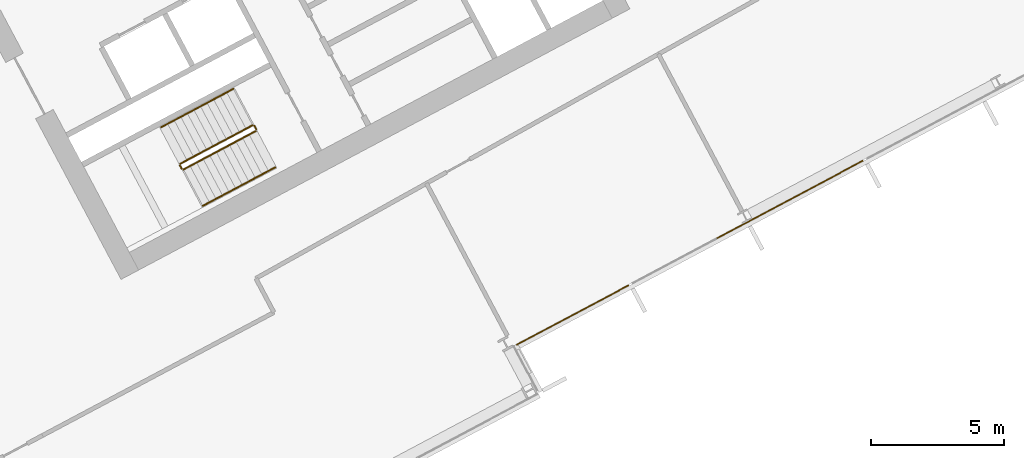
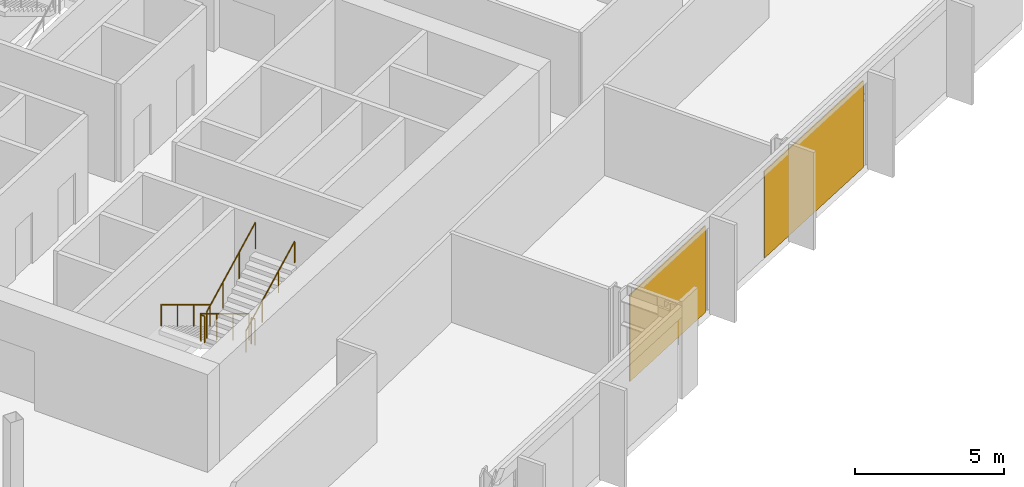
# One storey, part 25 of 28: 6 railings, 2 coverings, 1 element without a shape of its own.
"""IFC4 building model written with IfcOpenShell, lengths in metres."""

from ifc_helpers import new_model, si_unit, direction, frame, origin, origin_2d, place, context, subcontext, project, spatial, polyline, rectangle, outline, extrude, material, layer, layer_set, type_object, element, aggregate, save


model = new_model("IFC4")

# Units and contexts
model_context = context("Model", 3, precision=1e-05, world=origin(), true_north=direction((0.0, 1.0)))
body_context = subcontext(model_context, "Body", "Model", "MODEL_VIEW")
ifc_project = project(units=[si_unit("LENGTHUNIT", "METRE"), si_unit("AREAUNIT", "SQUARE_METRE"), si_unit("VOLUMEUNIT", "CUBIC_METRE"), si_unit("PLANEANGLEUNIT", "RADIAN"), si_unit("MASSUNIT", "GRAM", prefix="KILO")], contexts=[model_context])

# Site, building, storey
site_placement = place(None, origin())
site = spatial("IfcSite", under=ifc_project, at=site_placement, CompositionType="ELEMENT")
building_placement = place(site_placement, origin())
building = spatial("IfcBuilding", under=site, at=building_placement, Name="Cormorant Relay Tower", CompositionType="ELEMENT")
storey_placement = place(building_placement, frame((0.0, 0.0, 126.199951171875)))
storey = spatial("IfcBuildingStorey", under=building, at=storey_placement, Name="L25", CompositionType="ELEMENT", Elevation=126.199951171875)

# Curtain wall, coverings
ifc_material_1 = material(Name="Aluminium 6063-T6 anodised bronze", Category="aluminium")
ifc_layer_1 = layer(ifc_material_1, 0.199951171875)
ifc_layer_set_1 = layer_set([ifc_layer_1], Name="CW1 unitised bronze curtain wall with vertical fins")
curtain_wall_type = type_object("IfcCurtainWallType", Name="CW1 unitised bronze curtain wall with vertical fins", PredefinedType="NOTDEFINED", material=ifc_layer_set_1)
curtain_wall_placement = place(storey_placement, origin())
curtain_wall = element("IfcCurtainWall", 1, at=curtain_wall_placement, inside=storey, type_object=curtain_wall_type, Name="CW1 curtain wall 4", PredefinedType="NOTDEFINED")
ifc_material_2 = material(Name="Pale bronze anodised aluminium insulated panel", Category="aluminium")
ifc_layer_2 = layer(ifc_material_2, 0.0400390625)
ifc_layer_set_2 = layer_set([ifc_layer_2], Name="CW1 pale bronze insulated panel 40")
covering_type = type_object("IfcCoveringType", Name="CW1 pale bronze insulated panel 40", PredefinedType="CLADDING", material=ifc_layer_set_2)
covering_1_placement = place(storey_placement, frame((35.892333984375, -2.457275390625, 0.0), z_axis=(0.0, 0.0, 1.0), x_axis=(0.882947592859, 0.469471562786, 0.0)))
covering_1 = element("IfcCovering", 2, at=covering_1_placement, type_object=covering_type, Name="CW1 panel S00", PredefinedType="CLADDING", context=body_context, shape_type="SweptSolid", body=[
    extrude(rectangle(XDim=4.77490234375, YDim=0.0400390625, at=origin_2d()), origin(), (0.0, 0.0, 1.0), 3.550048828125),
])
covering_2_placement = place(storey_placement, frame((44.07080078125, 1.891357421875, 0.0), z_axis=(0.0, 0.0, 1.0), x_axis=(0.882947592859, 0.469471562786, 0.0)))
covering_2 = element("IfcCovering", 3, at=covering_2_placement, type_object=covering_type, Name="CW1 panel S02", PredefinedType="CLADDING", context=body_context, shape_type="SweptSolid", body=[
    extrude(rectangle(XDim=6.25, YDim=0.0400390625, at=origin_2d()), origin(), (0.0, 0.0, 1.0), 3.550048828125),
])
aggregate(curtain_wall, [covering_1, covering_2])

# Railings
ifc_material_3 = material(Name="Steel ASTM A572 Grade 50 (Fy 345 MPa)", Category="steel")
railing_type_1 = type_object("IfcRailingType", Name="Stair guard 1100", PredefinedType="GUARDRAIL", material=ifc_material_3)
railing_1_placement = place(storey_placement, frame((23.83837890625, 4.6904296875, 0.166748046875)))
element("IfcRailing", 4, at=railing_1_placement, inside=storey, type_object=railing_type_1, Name="L25 B1 stair guard 1", PredefinedType="GUARDRAIL", context=body_context, shape_type="SweptSolid", body=[
    extrude(outline(polyline([(0.022216796875, 0.00927734375), (0.00927734375, 0.022216796875), (-0.00927734375, 0.022216796875), (-0.022216796875, 0.00927734375), (-0.022216796875, -0.00927734375), (-0.00927734375, -0.022216796875), (0.00927734375, -0.022216796875), (0.022216796875, -0.00927734375), (0.022216796875, 0.00927734375)])), frame((0.0, 0.0, 1.076171875), z_axis=(-0.758713656843, -0.403434867536, 0.511462505542), x_axis=(0.469489399267, -0.882938108802, 0.0)), (0.0, 0.0, 1.0), 3.584228515625),
    extrude(outline(polyline([(0.019287109375, 0.008056640625), (0.008056640625, 0.019287109375), (-0.008056640625, 0.019287109375), (-0.019287109375, 0.008056640625), (-0.019287109375, -0.008056640625), (-0.008056640625, -0.019287109375), (0.008056640625, -0.019287109375), (0.019287109375, -0.008056640625), (0.019287109375, 0.008056640625)])), origin(), (0.0, 0.0, 1.0), 1.052001953125),
    extrude(outline(polyline([(0.019287109375, 0.008056640625), (0.008056640625, 0.019287109375), (-0.008056640625, 0.019287109375), (-0.019287109375, 0.008056640625), (-0.019287109375, -0.008056640625), (-0.008056640625, -0.019287109375), (0.008056640625, -0.019287109375), (0.019287109375, -0.008056640625), (0.019287109375, 0.008056640625)])), frame((-0.906494140625, -0.48193359375, 0.611083984375)), (0.0, 0.0, 1.0), 1.052001953125),
    extrude(outline(polyline([(0.019287109375, 0.008056640625), (0.008056640625, 0.019287109375), (-0.008056640625, 0.019287109375), (-0.019287109375, 0.008056640625), (-0.019287109375, -0.008056640625), (-0.008056640625, -0.019287109375), (0.008056640625, -0.019287109375), (0.019287109375, -0.008056640625), (0.019287109375, 0.008056640625)])), frame((-1.81298828125, -0.964111328125, 1.22216796875)), (0.0, 0.0, 1.0), 1.052001953125),
    extrude(outline(polyline([(0.019287109375, 0.008056640625), (0.008056640625, 0.019287109375), (-0.008056640625, 0.019287109375), (-0.019287109375, 0.008056640625), (-0.019287109375, -0.008056640625), (-0.008056640625, -0.019287109375), (0.008056640625, -0.019287109375), (0.019287109375, -0.008056640625), (0.019287109375, 0.008056640625)])), frame((-2.719482421875, -1.446044921875, 1.833251953125)), (0.0, 0.0, 1.0), 1.052001953125),
])
railing_2_placement = place(storey_placement, frame((21.09814453125, 3.1767578125, 2.0)))
element("IfcRailing", 5, at=railing_2_placement, inside=storey, type_object=railing_type_1, Name="L25 B1 stair guard 2", PredefinedType="GUARDRAIL", context=body_context, shape_type="SweptSolid", body=[
    extrude(outline(polyline([(0.022216796875, 0.00927734375), (0.00927734375, 0.022216796875), (-0.00927734375, 0.022216796875), (-0.022216796875, 0.00927734375), (-0.022216796875, -0.00927734375), (-0.00927734375, -0.022216796875), (0.00927734375, -0.022216796875), (0.022216796875, -0.00927734375), (0.022216796875, 0.00927734375)])), frame((0.0, 0.0, 1.076171875), z_axis=(0.469234640946, -0.883073525669, 0.0), x_axis=(0.883073525669, 0.469234640946, 0.0)), (0.0, 0.0, 1.0), 0.14990234375),
    extrude(outline(polyline([(0.019287109375, 0.008056640625), (0.008056640625, 0.019287109375), (-0.008056640625, 0.019287109375), (-0.019287109375, 0.008056640625), (-0.019287109375, -0.008056640625), (-0.008056640625, -0.019287109375), (0.008056640625, -0.019287109375), (0.019287109375, -0.008056640625), (0.019287109375, 0.008056640625)])), origin(), (0.0, 0.0, 1.0), 1.052001953125),
    extrude(outline(polyline([(0.019287109375, 0.008056640625), (0.008056640625, 0.019287109375), (-0.008056640625, 0.019287109375), (-0.019287109375, 0.008056640625), (-0.019287109375, -0.008056640625), (-0.008056640625, -0.019287109375), (0.008056640625, -0.019287109375), (0.019287109375, -0.008056640625), (0.019287109375, 0.008056640625)])), frame((0.0703125, -0.13232421875, 0.0)), (0.0, 0.0, 1.0), 1.052001953125),
])
railing_3_placement = place(storey_placement, frame((21.236083984375, 3.023681640625, 2.166748046875)))
element("IfcRailing", 6, at=railing_3_placement, inside=storey, type_object=railing_type_1, Name="L25 B1 stair guard 3", PredefinedType="GUARDRAIL", context=body_context, shape_type="SweptSolid", body=[
    extrude(outline(polyline([(0.022216796875, 0.00927734375), (0.00927734375, 0.022216796875), (-0.00927734375, 0.022216796875), (-0.022216796875, 0.00927734375), (-0.022216796875, -0.00927734375), (-0.00927734375, -0.022216796875), (0.00927734375, -0.022216796875), (0.022216796875, -0.00927734375), (0.022216796875, 0.00927734375)])), frame((0.0, 0.0, 1.076171875), z_axis=(0.758713656843, 0.403434867536, 0.511462505542), x_axis=(-0.469489399267, 0.882938108802, 0.0)), (0.0, 0.0, 1.0), 3.584228515625),
    extrude(outline(polyline([(0.019287109375, 0.008056640625), (0.008056640625, 0.019287109375), (-0.008056640625, 0.019287109375), (-0.019287109375, 0.008056640625), (-0.019287109375, -0.008056640625), (-0.008056640625, -0.019287109375), (0.008056640625, -0.019287109375), (0.019287109375, -0.008056640625), (0.019287109375, 0.008056640625)])), origin(), (0.0, 0.0, 1.0), 1.052001953125),
    extrude(outline(polyline([(0.019287109375, 0.008056640625), (0.008056640625, 0.019287109375), (-0.008056640625, 0.019287109375), (-0.019287109375, 0.008056640625), (-0.019287109375, -0.008056640625), (-0.008056640625, -0.019287109375), (0.008056640625, -0.019287109375), (0.019287109375, -0.008056640625), (0.019287109375, 0.008056640625)])), frame((0.906494140625, 0.48193359375, 0.611083984375)), (0.0, 0.0, 1.0), 1.052001953125),
    extrude(outline(polyline([(0.019287109375, 0.008056640625), (0.008056640625, 0.019287109375), (-0.008056640625, 0.019287109375), (-0.019287109375, 0.008056640625), (-0.019287109375, -0.008056640625), (-0.008056640625, -0.019287109375), (0.008056640625, -0.019287109375), (0.019287109375, -0.008056640625), (0.019287109375, 0.008056640625)])), frame((1.81298828125, 0.964111328125, 1.22216796875)), (0.0, 0.0, 1.0), 1.052001953125),
    extrude(outline(polyline([(0.019287109375, 0.008056640625), (0.008056640625, 0.019287109375), (-0.008056640625, 0.019287109375), (-0.019287109375, 0.008056640625), (-0.019287109375, -0.008056640625), (-0.008056640625, -0.019287109375), (0.008056640625, -0.019287109375), (0.019287109375, -0.008056640625), (0.019287109375, 0.008056640625)])), frame((2.719482421875, 1.446044921875, 1.833251953125)), (0.0, 0.0, 1.0), 1.052001953125),
])
railing_4_placement = place(storey_placement, frame((23.906005859375, 4.669677734375, 0.0)))
element("IfcRailing", 7, at=railing_4_placement, inside=storey, type_object=railing_type_1, Name="L25 B1 stair guard 4", PredefinedType="GUARDRAIL", context=body_context, shape_type="SweptSolid", body=[
    extrude(outline(polyline([(0.022216796875, 0.00927734375), (0.00927734375, 0.022216796875), (-0.00927734375, 0.022216796875), (-0.022216796875, 0.00927734375), (-0.022216796875, -0.00927734375), (-0.00927734375, -0.022216796875), (0.00927734375, -0.022216796875), (0.022216796875, -0.00927734375), (0.022216796875, 0.00927734375)])), frame((0.0, 0.0, 1.076171875), z_axis=(0.469234640946, -0.883073525669, 0.0), x_axis=(0.883073525669, 0.469234640946, 0.0)), (0.0, 0.0, 1.0), 0.14990234375),
    extrude(outline(polyline([(0.019287109375, 0.008056640625), (0.008056640625, 0.019287109375), (-0.008056640625, 0.019287109375), (-0.019287109375, 0.008056640625), (-0.019287109375, -0.008056640625), (-0.008056640625, -0.019287109375), (0.008056640625, -0.019287109375), (0.019287109375, -0.008056640625), (0.019287109375, 0.008056640625)])), origin(), (0.0, 0.0, 1.0), 1.052001953125),
    extrude(outline(polyline([(0.019287109375, 0.008056640625), (0.008056640625, 0.019287109375), (-0.008056640625, 0.019287109375), (-0.019287109375, 0.008056640625), (-0.019287109375, -0.008056640625), (-0.008056640625, -0.019287109375), (0.008056640625, -0.019287109375), (0.019287109375, -0.008056640625), (0.019287109375, 0.008056640625)])), frame((0.0703125, -0.13232421875, 0.0)), (0.0, 0.0, 1.0), 1.052001953125),
])
ifc_material_4 = material(Name="Steel ASTM A572 Grade 50 (Fy 345 MPa)", Category="steel")
railing_type_2 = type_object("IfcRailingType", Name="Stair handrail 900", PredefinedType="HANDRAIL", material=ifc_material_4)
railing_5_placement = place(storey_placement, frame((23.110595703125, 6.05908203125, 0.166748046875)))
element("IfcRailing", 8, at=railing_5_placement, inside=storey, type_object=railing_type_2, Name="L25 B1 stair handrail 1", PredefinedType="HANDRAIL", context=body_context, shape_type="SweptSolid", body=[
    extrude(outline(polyline([(0.022216796875, 0.00927734375), (0.00927734375, 0.022216796875), (-0.00927734375, 0.022216796875), (-0.022216796875, 0.00927734375), (-0.022216796875, -0.00927734375), (-0.00927734375, -0.022216796875), (0.00927734375, -0.022216796875), (0.022216796875, -0.00927734375), (0.022216796875, 0.00927734375)])), frame((0.0, 0.0, 0.8759765625), z_axis=(-0.758713656843, -0.403434867536, 0.511462505542), x_axis=(0.469489399267, -0.882938108802, 0.0)), (0.0, 0.0, 1.0), 3.584228515625),
    extrude(outline(polyline([(0.019287109375, 0.008056640625), (0.008056640625, 0.019287109375), (-0.008056640625, 0.019287109375), (-0.019287109375, 0.008056640625), (-0.019287109375, -0.008056640625), (-0.008056640625, -0.019287109375), (0.008056640625, -0.019287109375), (0.019287109375, -0.008056640625), (0.019287109375, 0.008056640625)])), origin(), (0.0, 0.0, 1.0), 0.851806640625),
    extrude(outline(polyline([(0.019287109375, 0.008056640625), (0.008056640625, 0.019287109375), (-0.008056640625, 0.019287109375), (-0.019287109375, 0.008056640625), (-0.019287109375, -0.008056640625), (-0.008056640625, -0.019287109375), (0.008056640625, -0.019287109375), (0.019287109375, -0.008056640625), (0.019287109375, 0.008056640625)])), frame((-0.906494140625, -0.48193359375, 0.611083984375)), (0.0, 0.0, 1.0), 0.851806640625),
    extrude(outline(polyline([(0.019287109375, 0.008056640625), (0.008056640625, 0.019287109375), (-0.008056640625, 0.019287109375), (-0.019287109375, 0.008056640625), (-0.019287109375, -0.008056640625), (-0.008056640625, -0.019287109375), (0.008056640625, -0.019287109375), (0.019287109375, -0.008056640625), (0.019287109375, 0.008056640625)])), frame((-1.81298828125, -0.964111328125, 1.22216796875)), (0.0, 0.0, 1.0), 0.851806640625),
    extrude(outline(polyline([(0.019287109375, 0.008056640625), (0.008056640625, 0.019287109375), (-0.008056640625, 0.019287109375), (-0.019287109375, 0.008056640625), (-0.019287109375, -0.008056640625), (-0.008056640625, -0.019287109375), (0.008056640625, -0.019287109375), (0.019287109375, -0.008056640625), (0.019287109375, 0.008056640625)])), frame((-2.719482421875, -1.446044921875, 1.833251953125)), (0.0, 0.0, 1.0), 0.851806640625),
])
railing_6_placement = place(storey_placement, frame((21.9638671875, 1.6552734375, 2.166748046875)))
element("IfcRailing", 9, at=railing_6_placement, inside=storey, type_object=railing_type_2, Name="L25 B1 stair handrail 2", PredefinedType="HANDRAIL", context=body_context, shape_type="SweptSolid", body=[
    extrude(outline(polyline([(0.022216796875, 0.00927734375), (0.00927734375, 0.022216796875), (-0.00927734375, 0.022216796875), (-0.022216796875, 0.00927734375), (-0.022216796875, -0.00927734375), (-0.00927734375, -0.022216796875), (0.00927734375, -0.022216796875), (0.022216796875, -0.00927734375), (0.022216796875, 0.00927734375)])), frame((0.0, 0.0, 0.8759765625), z_axis=(0.758734504837, 0.403377838015, 0.511476559549), x_axis=(-0.469427602063, 0.882970965786, 0.0)), (0.0, 0.0, 1.0), 3.584228515625),
    extrude(outline(polyline([(0.019287109375, 0.008056640625), (0.008056640625, 0.019287109375), (-0.008056640625, 0.019287109375), (-0.019287109375, 0.008056640625), (-0.019287109375, -0.008056640625), (-0.008056640625, -0.019287109375), (0.008056640625, -0.019287109375), (0.019287109375, -0.008056640625), (0.019287109375, 0.008056640625)])), origin(), (0.0, 0.0, 1.0), 0.851806640625),
    extrude(outline(polyline([(0.019287109375, 0.008056640625), (0.008056640625, 0.019287109375), (-0.008056640625, 0.019287109375), (-0.019287109375, 0.008056640625), (-0.019287109375, -0.008056640625), (-0.008056640625, -0.019287109375), (0.008056640625, -0.019287109375), (0.019287109375, -0.008056640625), (0.019287109375, 0.008056640625)])), frame((0.906494140625, 0.48193359375, 0.611083984375)), (0.0, 0.0, 1.0), 0.851806640625),
    extrude(outline(polyline([(0.019287109375, 0.008056640625), (0.008056640625, 0.019287109375), (-0.008056640625, 0.019287109375), (-0.019287109375, 0.008056640625), (-0.019287109375, -0.008056640625), (-0.008056640625, -0.019287109375), (0.008056640625, -0.019287109375), (0.019287109375, -0.008056640625), (0.019287109375, 0.008056640625)])), frame((1.81298828125, 0.9638671875, 1.22216796875)), (0.0, 0.0, 1.0), 0.851806640625),
    extrude(outline(polyline([(0.019287109375, 0.008056640625), (0.008056640625, 0.019287109375), (-0.008056640625, 0.019287109375), (-0.019287109375, 0.008056640625), (-0.019287109375, -0.008056640625), (-0.008056640625, -0.019287109375), (0.008056640625, -0.019287109375), (0.019287109375, -0.008056640625), (0.019287109375, 0.008056640625)])), frame((2.719482421875, 1.44580078125, 1.833251953125)), (0.0, 0.0, 1.0), 0.851806640625),
])

save(model, "model.ifc")
